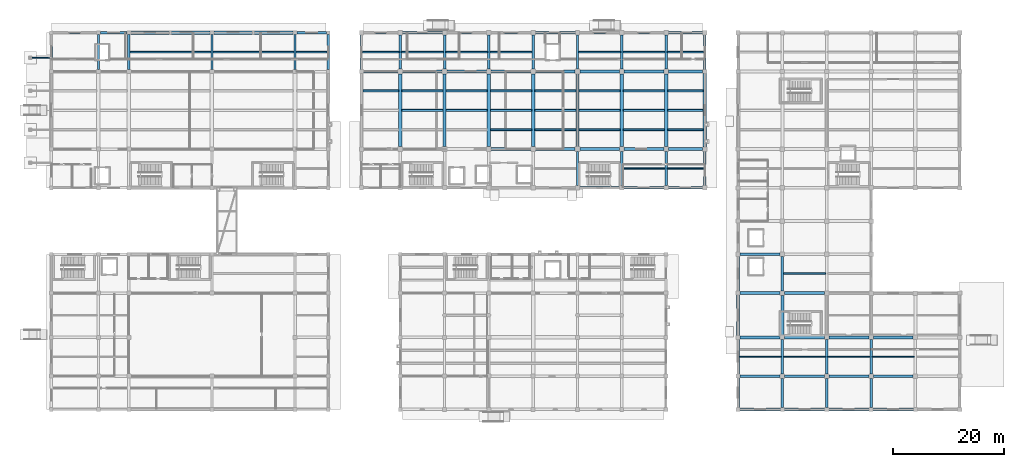
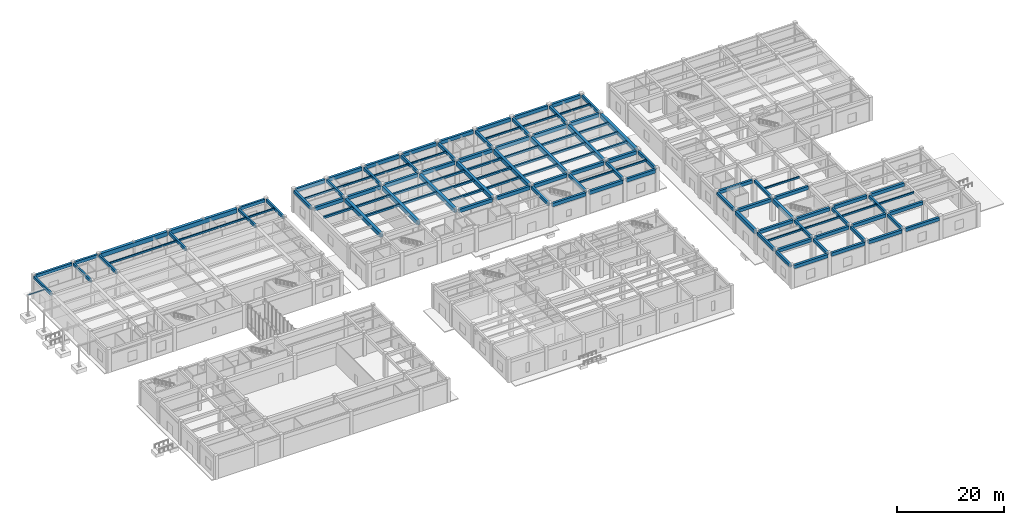
# One storey, part 10 of 40: 120 beams, 1 member.
"""IFC4 building model written with IfcOpenShell, lengths in metres."""

import ifcopenshell
import ifcopenshell.guid

model = None  # the IFC model being written
_history = None  # IfcOwnerHistory: only IFC2X3 demands one
_inside = {}  # id of a spatial element -> (the spatial element, [elements in it])
_under = {}  # id of a project, library or spatial element -> (it, [spatial elements below it])
_declared = {}  # id of a project -> (the project, [libraries it declares])
_typed = {}  # id of a type object -> (the type object, [elements of that type])
_made_of = {}  # id of a material, layer set ... -> (it, [elements and type objects made of it])


def new_model(schema):
    """Start an empty IFC model of exactly this schema.

    Asked for "IFC4X3", IfcOpenShell would pick the latest addendum, in which some entities
    have other attributes; the version numbers below select the first issue.
    IFC2X3 requires an IfcOwnerHistory on every rooted entity: one is made here for all.
    """
    global model, _history
    if schema == "IFC4X3":
        model = ifcopenshell.file(schema_version=(4, 3, 0, 0))
    else:
        model = ifcopenshell.file(schema=schema)
    _inside.clear()
    _under.clear()
    _declared.clear()
    _typed.clear()
    _made_of.clear()
    _history = None
    if model.schema == "IFC2X3":
        org = make("IfcOrganization", Name="unknown")
        user = make(
            "IfcPersonAndOrganization",
            ThePerson=make("IfcPerson", FamilyName="unknown"),
            TheOrganization=org,
        )
        app = make(
            "IfcApplication",
            ApplicationDeveloper=org,
            Version="unknown",
            ApplicationFullName="unknown",
            ApplicationIdentifier="unknown",
        )
        _history = make(
            "IfcOwnerHistory",
            OwningUser=user,
            OwningApplication=app,
            ChangeAction="ADDED",
            CreationDate=0,
        )
    return model


def make(cls, **values):
    """One entity of the class cls with the attributes given. An attribute that is None is left unset."""
    return model.create_entity(
        cls, **{name: value for name, value in values.items() if value is not None}
    )


def rooted(cls, **values):
    """An entity with a GlobalId (a new one), such as an element, a storey or a relation."""
    return make(cls, GlobalId=ifcopenshell.guid.new(), OwnerHistory=_history, **values)


def si_unit(unit_type, name, prefix=None):
    """IfcSIUnit, for example si_unit("LENGTHUNIT", "METRE", prefix="MILLI")."""
    return make("IfcSIUnit", UnitType=unit_type, Prefix=prefix, Name=name)


def assignment(units):
    """IfcUnitAssignment: the units of a project."""
    return None if units is None else make("IfcUnitAssignment", Units=units)


def point(xyz):
    """IfcCartesianPoint."""
    return None if xyz is None else make("IfcCartesianPoint", Coordinates=xyz)


def direction(xyz):
    """IfcDirection."""
    return None if xyz is None else make("IfcDirection", DirectionRatios=xyz)


def frame(location, z_axis=None, x_axis=None):
    """IfcAxis2Placement3D, a coordinate frame: its origin and axes. An axis left out is left unset."""
    return make(
        "IfcAxis2Placement3D",
        Location=point(location),
        Axis=direction(z_axis),
        RefDirection=direction(x_axis),
    )


def frame_2d(location, x_axis=None):
    """IfcAxis2Placement2D, a coordinate frame in the plane: its origin and x axis."""
    return make(
        "IfcAxis2Placement2D", Location=point(location), RefDirection=direction(x_axis)
    )


def origin():
    """The frame at (0, 0, 0) with its axes left unset."""
    return frame((0.0, 0.0, 0.0))


def origin_2d():
    """The frame at (0, 0) in the plane with its x axis left unset."""
    return frame_2d((0.0, 0.0))


def place(relative_to, where):
    """IfcLocalPlacement: puts the frame where relative to a parent placement (None: the world)."""
    return make(
        "IfcLocalPlacement", PlacementRelTo=relative_to, RelativePlacement=where
    )


def context(
    kind, dimensions, precision=None, world=None, true_north=None, identifier=None
):
    """IfcGeometricRepresentationContext, for example the 3D "Model" context."""
    return make(
        "IfcGeometricRepresentationContext",
        ContextIdentifier=identifier,
        ContextType=kind,
        CoordinateSpaceDimension=dimensions,
        Precision=precision,
        WorldCoordinateSystem=world,
        TrueNorth=true_north,
    )


def subcontext(parent, identifier, kind, view, scale=None):
    """IfcGeometricRepresentationSubContext, for example "Body" below "Model"."""
    return make(
        "IfcGeometricRepresentationSubContext",
        ContextIdentifier=identifier,
        ContextType=kind,
        ParentContext=parent,
        TargetScale=scale,
        TargetView=view,
    )


def project(units=None, contexts=None):
    """IfcProject with its units and contexts."""
    return rooted(
        "IfcProject",
        Name="project",
        RepresentationContexts=contexts,
        UnitsInContext=assignment(units),
    )


def spatial(cls, under=None, at=None, **own):
    """A site, building, storey or space (cls), placed at a placement, below another one or the project."""
    s = rooted(cls, ObjectPlacement=at, **own)
    if under is not None:
        _under.setdefault(under.id(), (under, []))[1].append(s)
    return s


def profile(cls, at=None, kind="AREA", **sizes):
    """A parametric profile (cls). Its sizes go by their IFC names, for example OverallWidth=200.0."""
    return make(cls, ProfileType=kind, Position=at, **sizes)


def rectangle(**sizes):
    """IfcRectangleProfileDef."""
    return profile("IfcRectangleProfileDef", **sizes)


def hollow_circle(**sizes):
    """IfcCircleHollowProfileDef."""
    return profile("IfcCircleHollowProfileDef", **sizes)


def extrude(swept, where, along, depth):
    """IfcExtrudedAreaSolid: the profile swept, set in the frame where, extruded along a direction by depth."""
    return make(
        "IfcExtrudedAreaSolid",
        SweptArea=swept,
        Position=where,
        ExtrudedDirection=direction(along),
        Depth=depth,
    )


def shape(context_of_items, identifier, shape_type, items):
    """IfcShapeRepresentation: the items that make up one representation, for example the "Body"."""
    return make(
        "IfcShapeRepresentation",
        ContextOfItems=context_of_items,
        RepresentationIdentifier=identifier,
        RepresentationType=shape_type,
        Items=items,
    )


def material(Name=None, Category=None):
    """IfcMaterial."""
    return make("IfcMaterial", Name=Name, Category=Category)


def material_profile(
    of_material, cross_section, Name=None, Category=None, Priority=None
):
    """IfcMaterialProfile: a cross section and its material."""
    return make(
        "IfcMaterialProfile",
        Name=Name,
        Material=of_material,
        Profile=cross_section,
        Priority=Priority,
        Category=Category,
    )


def profile_set(profiles, Name=None, composite=None):
    """IfcMaterialProfileSet."""
    return make(
        "IfcMaterialProfileSet",
        Name=Name,
        MaterialProfiles=profiles,
        CompositeProfile=composite,
    )


def made_of(thing, what):
    """Note that an element or type object is made of a material, layer set ...; save() writes the relation."""
    if what is not None:
        _made_of.setdefault(what.id(), (what, []))[1].append(thing)
    return thing


def type_object(cls, material=None, **own):
    """A type object (cls), such as IfcWallType, which elements share."""
    return made_of(rooted(cls, **own), material)


def element(
    cls,
    number,
    at=None,
    inside=None,
    cuts=None,
    type_object=None,
    material=None,
    context=None,
    identifier="Body",
    shape_type=None,
    held_by="IfcProductDefinitionShape",
    body=None,
    shapes=None,
    **own,
):
    """One element of the class cls, such as IfcWall. Its Tag is "e" and its number.

    at: its placement. inside: the storey or other place that contains it. cuts: it is an
    opening in that element (IfcRelVoidsElement). A single representation is given by context,
    identifier, shape_type and body (its items); several are given by shapes. held_by: the class
    of the entity that holds the representations. save() writes the other relations.
    """
    e = rooted(cls, Tag="e%d" % number, ObjectPlacement=at, **own)
    if body is not None:
        shapes = [shape(context, identifier, shape_type, body)]
    if shapes is not None:
        e.Representation = make(held_by, Representations=shapes)
    if inside is not None:
        _inside.setdefault(inside.id(), (inside, []))[1].append(e)
    if cuts is not None:
        rooted(
            "IfcRelVoidsElement", RelatingBuildingElement=cuts, RelatedOpeningElement=e
        )
    if type_object is not None:
        _typed.setdefault(type_object.id(), (type_object, []))[1].append(e)
    return made_of(e, material)


def aggregate(whole, parts):
    """IfcRelAggregates: a whole, such as a stair, and the parts it consists of."""
    return rooted("IfcRelAggregates", RelatingObject=whole, RelatedObjects=parts)


def save(model, path):
    """Write the relations noted so far, then the file.

    IfcRelAggregates (storeys below a building ...), IfcRelContainedInSpatialStructure (elements
    in a storey), IfcRelDefinesByType, IfcRelAssociatesMaterial and IfcRelDeclares: one each for
    every whole, place, type object, material and project.
    """
    for whole, parts in _under.values():
        aggregate(whole, parts)
    for where, things in _inside.values():
        rooted(
            "IfcRelContainedInSpatialStructure",
            RelatedElements=things,
            RelatingStructure=where,
        )
    for kind, things in _typed.values():
        rooted("IfcRelDefinesByType", RelatedObjects=things, RelatingType=kind)
    for what, things in _made_of.values():
        rooted("IfcRelAssociatesMaterial", RelatedObjects=things, RelatingMaterial=what)
    for by, libraries in _declared.values():
        rooted("IfcRelDeclares", RelatingContext=by, RelatedDefinitions=libraries)
    model.write(path)


model = new_model("IFC4")

# Units and contexts
model_context = context("Model", 3, precision=1e-05, world=origin(), true_north=direction((0.0, 1.0)))
body_context = subcontext(model_context, "Body", "Model", "MODEL_VIEW")
ifc_project = project(units=[si_unit("LENGTHUNIT", "METRE"), si_unit("AREAUNIT", "SQUARE_METRE"), si_unit("VOLUMEUNIT", "CUBIC_METRE"), si_unit("PLANEANGLEUNIT", "RADIAN"), si_unit("MASSUNIT", "GRAM", prefix="KILO")], contexts=[model_context])

# Site, building, storey
site_placement = place(None, origin())
site = spatial("IfcSite", under=ifc_project, at=site_placement, CompositionType="ELEMENT")
building_placement = place(site_placement, origin())
building = spatial("IfcBuilding", under=site, at=building_placement, Name="Naurynzar Civic Courthouse", CompositionType="ELEMENT")
storey_placement = place(building_placement, origin())
storey = spatial("IfcBuildingStorey", under=building, at=storey_placement, Name="L01", CompositionType="ELEMENT", Elevation=0.0)

# Beams
ifc_material_1 = material(Name="Concrete C40/50", Category="concrete")
ifc_material_profile_1 = material_profile(ifc_material_1, rectangle(XDim=0.25, YDim=0.39990234375, at=origin_2d()), Name="RCB 250x400")
ifc_profile_set_1 = profile_set([ifc_material_profile_1], Name="Concrete C40/50")
beam_type_1 = type_object("IfcBeamType", Name="BM-JST-250x400", PredefinedType="JOIST", material=ifc_profile_set_1)
for number, where, z_axis, x_axis, name in (
    (1, (20.199951171875, 68.5, 4.929931640625), (1.0, 0.0, 0.0), (0.0, 1.0, 0.0), "V1 secondary rib 112 L01"),
    (2, (35.199951171875, 68.5, 4.929931640625), (1.0, 0.0, 0.0), (0.0, 1.0, 0.0), "V1 secondary rib 113 L01"),
):
    element("IfcBeam", number, at=place(storey_placement, frame(where, z_axis=z_axis, x_axis=x_axis)), inside=storey, type_object=beam_type_1, Name=name, PredefinedType="JOIST", context=body_context, shape_type="SweptSolid", body=[
        extrude(rectangle(XDim=0.25, YDim=0.39990234375, at=origin_2d()), origin(), (0.0, 0.0, 1.0), 14.60009765625),
    ])
beam_1_placement = place(storey_placement, frame((50.199951171875, 68.5, 4.929931640625), z_axis=(1.0, 0.0, 0.0), x_axis=(0.0, 1.0, 0.0)))
element("IfcBeam", 3, at=beam_1_placement, inside=storey, type_object=beam_type_1, Name="V1 secondary rib 114 L01", PredefinedType="JOIST", context=body_context, shape_type="SweptSolid", body=[
    extrude(rectangle(XDim=0.25, YDim=0.39990234375, at=origin_2d()), origin(), (0.0, 0.0, 1.0), 5.60009765625),
])
beam_2_placement = place(storey_placement, frame((109.22509765625, 47.5, 4.89990234375), z_axis=(1.0, 0.0, 0.0), x_axis=(0.0, 1.0, 0.0)))
element("IfcBeam", 4, at=beam_2_placement, inside=storey, type_object=beam_type_1, Name="V2 secondary rib 434 L01", PredefinedType="JOIST", context=body_context, shape_type="SweptSolid", body=[
    extrude(rectangle(XDim=0.25, YDim=0.39990234375, at=origin_2d()), origin(), (0.0, 0.0, 1.0), 7.5498046875),
])
for number, where, z_axis, x_axis, name in (
    (5, (117.22509765625, 47.5, 4.89990234375), (1.0, 0.0, 0.0), (0.0, 1.0, 0.0), "V2 secondary rib 435 L01"),
    (6, (62.22509765625, 68.5, 4.89990234375), (1.0, 0.0, 0.0), (0.0, 1.0, 0.0), "V2 secondary rib 460 L01"),
):
    element("IfcBeam", number, at=place(storey_placement, frame(where, z_axis=z_axis, x_axis=x_axis)), inside=storey, type_object=beam_type_1, Name=name, PredefinedType="JOIST", context=body_context, shape_type="SweptSolid", body=[
        extrude(rectangle(XDim=0.25, YDim=0.39990234375, at=origin_2d()), origin(), (0.0, 0.0, 1.0), 6.5498046875),
    ])
for number, where, z_axis, x_axis, name in (
    (7, (69.22509765625, 68.5, 4.89990234375), (1.0, 0.0, 0.0), (0.0, 1.0, 0.0), "V2 secondary rib 461 L01"),
    (8, (77.22509765625, 68.5, 4.89990234375), (1.0, 0.0, 0.0), (0.0, 1.0, 0.0), "V2 secondary rib 462 L01"),
    (9, (85.22509765625, 68.5, 4.89990234375), (1.0, 0.0, 0.0), (0.0, 1.0, 0.0), "V2 secondary rib 463 L01"),
    (10, (101.22509765625, 68.5, 4.89990234375), (1.0, 0.0, 0.0), (0.0, 1.0, 0.0), "V2 secondary rib 464 L01"),
    (11, (109.22509765625, 68.5, 4.89990234375), (1.0, 0.0, 0.0), (0.0, 1.0, 0.0), "V2 secondary rib 465 L01"),
):
    element("IfcBeam", number, at=place(storey_placement, frame(where, z_axis=z_axis, x_axis=x_axis)), inside=storey, type_object=beam_type_1, Name=name, PredefinedType="JOIST", context=body_context, shape_type="SweptSolid", body=[
        extrude(rectangle(XDim=0.25, YDim=0.39990234375, at=origin_2d()), origin(), (0.0, 0.0, 1.0), 7.5498046875),
    ])
beam_3_placement = place(storey_placement, frame((117.22509765625, 68.5, 4.89990234375), z_axis=(1.0, 0.0, 0.0), x_axis=(0.0, 1.0, 0.0)))
element("IfcBeam", 12, at=beam_3_placement, inside=storey, type_object=beam_type_1, Name="V2 secondary rib 466 L01", PredefinedType="JOIST", context=body_context, shape_type="SweptSolid", body=[
    extrude(rectangle(XDim=0.25, YDim=0.39990234375, at=origin_2d()), origin(), (0.0, 0.0, 1.0), 6.5498046875),
])
for number, where, z_axis, x_axis, name in (
    (13, (130.22509765625, 13.5, 4.89990234375), (1.0, 0.0, 0.0), (0.0, 1.0, 0.0), "V5 secondary rib 2219 L01"),
    (14, (138.22509765625, 13.5, 4.89990234375), (1.0, 0.0, 0.0), (0.0, 1.0, 0.0), "V5 secondary rib 2220 L01"),
    (15, (146.22509765625, 13.5, 4.89990234375), (1.0, 0.0, 0.0), (0.0, 1.0, 0.0), "V5 secondary rib 2221 L01"),
    (16, (154.22509765625, 13.5, 4.89990234375), (1.0, 0.0, 0.0), (0.0, 1.0, 0.0), "V5 secondary rib 2222 L01"),
    (17, (138.22509765625, 28.5, 4.89990234375), (1.0, 0.0, 0.0), (0.0, 1.0, 0.0), "V5 secondary rib 2227 L01"),
):
    element("IfcBeam", number, at=place(storey_placement, frame(where, z_axis=z_axis, x_axis=x_axis)), inside=storey, type_object=beam_type_1, Name=name, PredefinedType="JOIST", context=body_context, shape_type="SweptSolid", body=[
        extrude(rectangle(XDim=0.25, YDim=0.39990234375, at=origin_2d()), origin(), (0.0, 0.0, 1.0), 7.5498046875),
    ])
ifc_material_2 = material(Name="Concrete C40/50", Category="concrete")
ifc_material_profile_2 = material_profile(ifc_material_2, rectangle(XDim=0.60009765625, YDim=0.949951171875, at=origin_2d()), Name="PTB 600x950")
ifc_profile_set_2 = profile_set([ifc_material_profile_2], Name="Concrete C40/50")
beam_type_2 = type_object("IfcBeamType", Name="BM-PT-600x950", PredefinedType="T_BEAM", material=ifc_profile_set_2)
for number, where, z_axis, x_axis, name in (
    (18, (20.35009765625, 72.0, 4.655029296875), (1.0, 0.0, 0.0), (0.0, 1.0, 0.0), "V1 beam X-75 L01"),
    (19, (35.35009765625, 72.0, 4.655029296875), (1.0, 0.0, 0.0), (0.0, 1.0, 0.0), "V1 beam X-76 L01"),
):
    element("IfcBeam", number, at=place(storey_placement, frame(where, z_axis=z_axis, x_axis=x_axis)), inside=storey, type_object=beam_type_2, Name=name, PredefinedType="T_BEAM", context=body_context, shape_type="SweptSolid", body=[
        extrude(rectangle(XDim=0.60009765625, YDim=0.949951171875, at=origin_2d()), origin(), (0.0, 0.0, 1.0), 14.2998046875),
    ])
for number, where, z_axis, x_axis, name in (
    (20, (69.0, 51.425048828125, 4.625), (0.0, 1.0, 0.0), (-1.0, 0.0, 0.0), "V2 girder Y-409 L01"),
    (21, (77.0, 51.425048828125, 4.625), (0.0, 1.0, 0.0), (-1.0, 0.0, 0.0), "V2 girder Y-412 L01"),
    (22, (85.0, 51.425048828125, 4.625), (0.0, 1.0, 0.0), (-1.0, 0.0, 0.0), "V2 girder Y-415 L01"),
    (23, (93.0, 51.425048828125, 4.625), (0.0, 1.0, 0.0), (-1.0, 0.0, 0.0), "V2 girder Y-418 L01"),
    (24, (101.0, 51.425048828125, 4.625), (0.0, 1.0, 0.0), (-1.0, 0.0, 0.0), "V2 girder Y-421 L01"),
    (25, (109.0, 51.425048828125, 4.625), (0.0, 1.0, 0.0), (-1.0, 0.0, 0.0), "V2 girder Y-424 L01"),
    (26, (117.0, 51.425048828125, 4.625), (0.0, 1.0, 0.0), (-1.0, 0.0, 0.0), "V2 girder Y-427 L01"),
):
    element("IfcBeam", number, at=place(storey_placement, frame(where, z_axis=z_axis, x_axis=x_axis)), inside=storey, type_object=beam_type_2, Name=name, PredefinedType="T_BEAM", context=body_context, shape_type="SweptSolid", body=[
        extrude(rectangle(XDim=0.60009765625, YDim=0.949951171875, at=origin_2d()), origin(), (0.0, 0.0, 1.0), 13.14990234375),
    ])
beam_4_placement = place(storey_placement, frame((124.0, 51.39990234375, 4.625), z_axis=(0.0, 1.0, 0.0), x_axis=(-1.0, 0.0, 0.0)))
element("IfcBeam", 27, at=beam_4_placement, inside=storey, type_object=beam_type_2, Name="V2 girder Y-430 L01", PredefinedType="T_BEAM", context=body_context, shape_type="SweptSolid", body=[
    extrude(rectangle(XDim=0.60009765625, YDim=0.949951171875, at=origin_2d()), origin(), (0.0, 0.0, 1.0), 13.2001953125),
])
ifc_material_3 = material(Name="Concrete C40/50", Category="concrete")
ifc_material_profile_3 = material_profile(ifc_material_3, rectangle(XDim=0.35009765625, YDim=0.449951171875, at=origin_2d()), Name="RCB 350x450")
ifc_profile_set_3 = profile_set([ifc_material_profile_3], Name="Concrete C40/50")
beam_type_3 = type_object("IfcBeamType", Name="BM-RC-350x450", PredefinedType="BEAM", material=ifc_profile_set_3)
beam_5_placement = place(storey_placement, frame((62.300048828125, 61.5, 4.875), z_axis=(1.0, 0.0, 0.0), x_axis=(0.0, 1.0, 0.0)))
element("IfcBeam", 28, at=beam_5_placement, inside=storey, type_object=beam_type_3, Name="V2 secondary rib 438 L01", PredefinedType="BEAM", context=body_context, shape_type="SweptSolid", body=[
    extrude(rectangle(XDim=0.35009765625, YDim=0.449951171875, at=origin_2d()), origin(), (0.0, 0.0, 1.0), 6.39990234375),
])
for number, where, z_axis, x_axis, name in (
    (29, (69.300048828125, 58.0, 4.875), (1.0, 0.0, 0.0), (0.0, 1.0, 0.0), "V2 secondary rib 440 L01"),
    (30, (69.300048828125, 61.5, 4.875), (1.0, 0.0, 0.0), (0.0, 1.0, 0.0), "V2 secondary rib 441 L01"),
    (31, (77.300048828125, 58.0, 4.875), (1.0, 0.0, 0.0), (0.0, 1.0, 0.0), "V2 secondary rib 443 L01"),
    (32, (77.300048828125, 61.5, 4.875), (1.0, 0.0, 0.0), (0.0, 1.0, 0.0), "V2 secondary rib 444 L01"),
    (33, (85.300048828125, 54.5, 4.875), (1.0, 0.0, 0.0), (0.0, 1.0, 0.0), "V2 secondary rib 445 L01"),
    (34, (85.300048828125, 58.0, 4.875), (1.0, 0.0, 0.0), (0.0, 1.0, 0.0), "V2 secondary rib 446 L01"),
    (35, (85.300048828125, 61.5, 4.875), (1.0, 0.0, 0.0), (0.0, 1.0, 0.0), "V2 secondary rib 447 L01"),
    (36, (93.300048828125, 54.5, 4.875), (1.0, 0.0, 0.0), (0.0, 1.0, 0.0), "V2 secondary rib 448 L01"),
    (37, (93.300048828125, 58.0, 4.875), (1.0, 0.0, 0.0), (0.0, 1.0, 0.0), "V2 secondary rib 449 L01"),
    (38, (93.300048828125, 61.5, 4.875), (1.0, 0.0, 0.0), (0.0, 1.0, 0.0), "V2 secondary rib 450 L01"),
    (39, (101.300048828125, 54.5, 4.875), (1.0, 0.0, 0.0), (0.0, 1.0, 0.0), "V2 secondary rib 451 L01"),
    (40, (101.300048828125, 58.0, 4.875), (1.0, 0.0, 0.0), (0.0, 1.0, 0.0), "V2 secondary rib 452 L01"),
    (41, (101.300048828125, 61.5, 4.875), (1.0, 0.0, 0.0), (0.0, 1.0, 0.0), "V2 secondary rib 453 L01"),
    (42, (109.300048828125, 54.5, 4.875), (1.0, 0.0, 0.0), (0.0, 1.0, 0.0), "V2 secondary rib 454 L01"),
    (43, (109.300048828125, 58.0, 4.875), (1.0, 0.0, 0.0), (0.0, 1.0, 0.0), "V2 secondary rib 455 L01"),
    (44, (109.300048828125, 61.5, 4.875), (1.0, 0.0, 0.0), (0.0, 1.0, 0.0), "V2 secondary rib 456 L01"),
):
    element("IfcBeam", number, at=place(storey_placement, frame(where, z_axis=z_axis, x_axis=x_axis)), inside=storey, type_object=beam_type_3, Name=name, PredefinedType="BEAM", context=body_context, shape_type="SweptSolid", body=[
        extrude(rectangle(XDim=0.35009765625, YDim=0.449951171875, at=origin_2d()), origin(), (0.0, 0.0, 1.0), 7.39990234375),
    ])
for number, where, z_axis, x_axis, name in (
    (45, (117.300048828125, 54.5, 4.875), (1.0, 0.0, 0.0), (0.0, 1.0, 0.0), "V2 secondary rib 457 L01"),
    (46, (117.300048828125, 58.0, 4.875), (1.0, 0.0, 0.0), (0.0, 1.0, 0.0), "V2 secondary rib 458 L01"),
    (47, (117.300048828125, 61.5, 4.875), (1.0, 0.0, 0.0), (0.0, 1.0, 0.0), "V2 secondary rib 459 L01"),
):
    element("IfcBeam", number, at=place(storey_placement, frame(where, z_axis=z_axis, x_axis=x_axis)), inside=storey, type_object=beam_type_3, Name=name, PredefinedType="BEAM", context=body_context, shape_type="SweptSolid", body=[
        extrude(rectangle(XDim=0.35009765625, YDim=0.449951171875, at=origin_2d()), origin(), (0.0, 0.0, 1.0), 6.39990234375),
    ])
ifc_material_4 = material(Name="Concrete C40/50", Category="concrete")
ifc_material_profile_4 = material_profile(ifc_material_4, rectangle(XDim=0.39990234375, YDim=0.64990234375, at=origin_2d()), Name="RCB 400x650")
ifc_profile_set_4 = profile_set([ifc_material_profile_4], Name="Concrete C40/50")
beam_type_4 = type_object("IfcBeamType", Name="BM-RC-400x650", PredefinedType="BEAM", material=ifc_profile_set_4)
for number, where, z_axis, x_axis, name in (
    (48, (6.0, 65.35009765625, 4.804931640625), (0.0, 1.0, 0.0), (-1.0, 0.0, 0.0), "V1 girder Y-80 L01"),
    (49, (14.5, 65.35009765625, 4.804931640625), (0.0, 1.0, 0.0), (-1.0, 0.0, 0.0), "V1 girder Y-83 L01"),
    (50, (20.0, 65.35009765625, 4.804931640625), (0.0, 1.0, 0.0), (-1.0, 0.0, 0.0), "V1 girder Y-86 L01"),
    (51, (35.0, 65.35009765625, 4.804931640625), (0.0, 1.0, 0.0), (-1.0, 0.0, 0.0), "V1 girder Y-89 L01"),
    (52, (50.0, 65.35009765625, 4.804931640625), (0.0, 1.0, 0.0), (-1.0, 0.0, 0.0), "V1 girder Y-92 L01"),
    (53, (56.0, 65.35009765625, 4.804931640625), (0.0, 1.0, 0.0), (-1.0, 0.0, 0.0), "V1 girder Y-95 L01"),
):
    element("IfcBeam", number, at=place(storey_placement, frame(where, z_axis=z_axis, x_axis=x_axis)), inside=storey, type_object=beam_type_4, Name=name, PredefinedType="BEAM", context=body_context, shape_type="SweptSolid", body=[
        extrude(rectangle(XDim=0.39990234375, YDim=0.64990234375, at=origin_2d()), origin(), (0.0, 0.0, 1.0), 6.2998046875),
    ])
ifc_material_5 = material(Name="Concrete C40/50", Category="concrete")
ifc_material_profile_5 = material_profile(ifc_material_5, rectangle(XDim=0.449951171875, YDim=0.64990234375, at=origin_2d()), Name="RCB 450x650")
ifc_profile_set_5 = profile_set([ifc_material_profile_5], Name="Concrete C40/50")
beam_type_5 = type_object("IfcBeamType", Name="BM-RC-450x650", PredefinedType="BEAM", material=ifc_profile_set_5)
beam_6_placement = place(storey_placement, frame((130.0, 4.375, 4.77490234375), z_axis=(0.0, 1.0, 0.0), x_axis=(-1.0, 0.0, 0.0)))
element("IfcBeam", 54, at=beam_6_placement, inside=storey, type_object=beam_type_5, Name="V5 girder Y-2171 L01", PredefinedType="BEAM", context=body_context, shape_type="SweptSolid", body=[
    extrude(rectangle(XDim=0.449951171875, YDim=0.64990234375, at=origin_2d()), origin(), (0.0, 0.0, 1.0), 5.25),
])
for number, where, z_axis, x_axis, name in (
    (55, (130.0, 10.375, 4.77490234375), (0.0, 1.0, 0.0), (-1.0, 0.0, 0.0), "V5 girder Y-2172 L01"),
    (56, (130.0, 25.375, 4.77490234375), (0.0, 1.0, 0.0), (-1.0, 0.0, 0.0), "V5 girder Y-2174 L01"),
):
    element("IfcBeam", number, at=place(storey_placement, frame(where, z_axis=z_axis, x_axis=x_axis)), inside=storey, type_object=beam_type_5, Name=name, PredefinedType="BEAM", context=body_context, shape_type="SweptSolid", body=[
        extrude(rectangle(XDim=0.449951171875, YDim=0.64990234375, at=origin_2d()), origin(), (0.0, 0.0, 1.0), 6.25),
    ])
beam_7_placement = place(storey_placement, frame((138.0, 4.375, 4.77490234375), z_axis=(0.0, 1.0, 0.0), x_axis=(-1.0, 0.0, 0.0)))
element("IfcBeam", 57, at=beam_7_placement, inside=storey, type_object=beam_type_5, Name="V5 girder Y-2180 L01", PredefinedType="BEAM", context=body_context, shape_type="SweptSolid", body=[
    extrude(rectangle(XDim=0.449951171875, YDim=0.64990234375, at=origin_2d()), origin(), (0.0, 0.0, 1.0), 5.22509765625),
])
for number, where, z_axis, x_axis, name in (
    (58, (138.0, 10.39990234375, 4.77490234375), (0.0, 1.0, 0.0), (-1.0, 0.0, 0.0), "V5 girder Y-2181 L01"),
    (59, (138.0, 25.39990234375, 4.77490234375), (0.0, 1.0, 0.0), (-1.0, 0.0, 0.0), "V5 girder Y-2183 L01"),
):
    element("IfcBeam", number, at=place(storey_placement, frame(where, z_axis=z_axis, x_axis=x_axis)), inside=storey, type_object=beam_type_5, Name=name, PredefinedType="BEAM", context=body_context, shape_type="SweptSolid", body=[
        extrude(rectangle(XDim=0.449951171875, YDim=0.64990234375, at=origin_2d()), origin(), (0.0, 0.0, 1.0), 6.2001953125),
    ])
beam_8_placement = place(storey_placement, frame((146.0, 4.375, 4.77490234375), z_axis=(0.0, 1.0, 0.0), x_axis=(-1.0, 0.0, 0.0)))
element("IfcBeam", 60, at=beam_8_placement, inside=storey, type_object=beam_type_5, Name="V5 girder Y-2189 L01", PredefinedType="BEAM", context=body_context, shape_type="SweptSolid", body=[
    extrude(rectangle(XDim=0.449951171875, YDim=0.64990234375, at=origin_2d()), origin(), (0.0, 0.0, 1.0), 5.22509765625),
])
beam_9_placement = place(storey_placement, frame((146.0, 10.39990234375, 4.77490234375), z_axis=(0.0, 1.0, 0.0), x_axis=(-1.0, 0.0, 0.0)))
element("IfcBeam", 61, at=beam_9_placement, inside=storey, type_object=beam_type_5, Name="V5 girder Y-2190 L01", PredefinedType="BEAM", context=body_context, shape_type="SweptSolid", body=[
    extrude(rectangle(XDim=0.449951171875, YDim=0.64990234375, at=origin_2d()), origin(), (0.0, 0.0, 1.0), 6.2001953125),
])
beam_10_placement = place(storey_placement, frame((154.0, 4.375, 4.77490234375), z_axis=(0.0, 1.0, 0.0), x_axis=(-1.0, 0.0, 0.0)))
element("IfcBeam", 62, at=beam_10_placement, inside=storey, type_object=beam_type_5, Name="V5 girder Y-2198 L01", PredefinedType="BEAM", context=body_context, shape_type="SweptSolid", body=[
    extrude(rectangle(XDim=0.449951171875, YDim=0.64990234375, at=origin_2d()), origin(), (0.0, 0.0, 1.0), 5.22509765625),
])
beam_11_placement = place(storey_placement, frame((154.0, 10.39990234375, 4.77490234375), z_axis=(0.0, 1.0, 0.0), x_axis=(-1.0, 0.0, 0.0)))
element("IfcBeam", 63, at=beam_11_placement, inside=storey, type_object=beam_type_5, Name="V5 girder Y-2199 L01", PredefinedType="BEAM", context=body_context, shape_type="SweptSolid", body=[
    extrude(rectangle(XDim=0.449951171875, YDim=0.64990234375, at=origin_2d()), origin(), (0.0, 0.0, 1.0), 6.2001953125),
])
ifc_material_6 = material(Name="Concrete C40/50", Category="concrete")
ifc_material_profile_6 = material_profile(ifc_material_6, rectangle(XDim=0.449951171875, YDim=0.699951171875, at=origin_2d()), Name="RCB 450x700")
ifc_profile_set_6 = profile_set([ifc_material_profile_6], Name="Concrete C40/50")
beam_type_6 = type_object("IfcBeamType", Name="BM-RC-450x700", PredefinedType="BEAM", material=ifc_profile_set_6)
beam_12_placement = place(storey_placement, frame((6.35009765625, 72.0, 4.780029296875), z_axis=(1.0, 0.0, 0.0), x_axis=(0.0, 1.0, 0.0)))
element("IfcBeam", 64, at=beam_12_placement, inside=storey, type_object=beam_type_6, Name="V1 beam X-73 L01", PredefinedType="BEAM", context=body_context, shape_type="SweptSolid", body=[
    extrude(rectangle(XDim=0.449951171875, YDim=0.699951171875, at=origin_2d()), origin(), (0.0, 0.0, 1.0), 7.7998046875),
])
beam_13_placement = place(storey_placement, frame((14.85009765625, 72.0, 4.780029296875), z_axis=(1.0, 0.0, 0.0), x_axis=(0.0, 1.0, 0.0)))
element("IfcBeam", 65, at=beam_13_placement, inside=storey, type_object=beam_type_6, Name="V1 beam X-74 L01", PredefinedType="BEAM", context=body_context, shape_type="SweptSolid", body=[
    extrude(rectangle(XDim=0.449951171875, YDim=0.699951171875, at=origin_2d()), origin(), (0.0, 0.0, 1.0), 4.7998046875),
])
beam_14_placement = place(storey_placement, frame((50.35009765625, 72.0, 4.780029296875), z_axis=(1.0, 0.0, 0.0), x_axis=(0.0, 1.0, 0.0)))
element("IfcBeam", 66, at=beam_14_placement, inside=storey, type_object=beam_type_6, Name="V1 beam X-77 L01", PredefinedType="BEAM", context=body_context, shape_type="SweptSolid", body=[
    extrude(rectangle(XDim=0.449951171875, YDim=0.699951171875, at=origin_2d()), origin(), (0.0, 0.0, 1.0), 5.2998046875),
])
beam_15_placement = place(storey_placement, frame((62.0, 65.39990234375, 4.75), z_axis=(0.0, 1.0, 0.0), x_axis=(-1.0, 0.0, 0.0)))
element("IfcBeam", 67, at=beam_15_placement, inside=storey, type_object=beam_type_6, Name="V2 girder Y-407 L01", PredefinedType="BEAM", context=body_context, shape_type="SweptSolid", body=[
    extrude(rectangle(XDim=0.449951171875, YDim=0.699951171875, at=origin_2d()), origin(), (0.0, 0.0, 1.0), 6.2001953125),
])
for number, where, z_axis, x_axis, name in (
    (68, (69.0, 65.425048828125, 4.75), (0.0, 1.0, 0.0), (-1.0, 0.0, 0.0), "V2 girder Y-410 L01"),
    (69, (77.0, 65.425048828125, 4.75), (0.0, 1.0, 0.0), (-1.0, 0.0, 0.0), "V2 girder Y-413 L01"),
    (70, (85.0, 65.425048828125, 4.75), (0.0, 1.0, 0.0), (-1.0, 0.0, 0.0), "V2 girder Y-416 L01"),
    (71, (93.0, 65.425048828125, 4.75), (0.0, 1.0, 0.0), (-1.0, 0.0, 0.0), "V2 girder Y-419 L01"),
    (72, (101.0, 44.39990234375, 4.75), (0.0, 1.0, 0.0), (-1.0, 0.0, 0.0), "V2 girder Y-420 L01"),
    (73, (101.0, 65.425048828125, 4.75), (0.0, 1.0, 0.0), (-1.0, 0.0, 0.0), "V2 girder Y-422 L01"),
    (74, (109.0, 44.39990234375, 4.75), (0.0, 1.0, 0.0), (-1.0, 0.0, 0.0), "V2 girder Y-423 L01"),
    (75, (109.0, 65.425048828125, 4.75), (0.0, 1.0, 0.0), (-1.0, 0.0, 0.0), "V2 girder Y-425 L01"),
    (76, (117.0, 44.39990234375, 4.75), (0.0, 1.0, 0.0), (-1.0, 0.0, 0.0), "V2 girder Y-426 L01"),
    (77, (117.0, 65.425048828125, 4.75), (0.0, 1.0, 0.0), (-1.0, 0.0, 0.0), "V2 girder Y-428 L01"),
):
    element("IfcBeam", number, at=place(storey_placement, frame(where, z_axis=z_axis, x_axis=x_axis)), inside=storey, type_object=beam_type_6, Name=name, PredefinedType="BEAM", context=body_context, shape_type="SweptSolid", body=[
        extrude(rectangle(XDim=0.449951171875, YDim=0.699951171875, at=origin_2d()), origin(), (0.0, 0.0, 1.0), 6.175048828125),
    ])
for number, where, z_axis, x_axis, name in (
    (78, (124.0, 44.39990234375, 4.75), (0.0, 1.0, 0.0), (-1.0, 0.0, 0.0), "V2 girder Y-429 L01"),
    (79, (124.0, 65.39990234375, 4.75), (0.0, 1.0, 0.0), (-1.0, 0.0, 0.0), "V2 girder Y-431 L01"),
):
    element("IfcBeam", number, at=place(storey_placement, frame(where, z_axis=z_axis, x_axis=x_axis)), inside=storey, type_object=beam_type_6, Name=name, PredefinedType="BEAM", context=body_context, shape_type="SweptSolid", body=[
        extrude(rectangle(XDim=0.449951171875, YDim=0.699951171875, at=origin_2d()), origin(), (0.0, 0.0, 1.0), 6.2001953125),
    ])
ifc_material_7 = material(Name="Concrete C40/50", Category="concrete")
ifc_material_profile_7 = material_profile(ifc_material_7, rectangle(XDim=0.5, YDim=0.75, at=origin_2d()), Name="RCB 500x750")
ifc_profile_set_7 = profile_set([ifc_material_profile_7], Name="Concrete C40/50")
beam_type_7 = type_object("IfcBeamType", Name="BM-RC-500x750", PredefinedType="BEAM", material=ifc_profile_set_7)
for number, where, z_axis, x_axis, name in (
    (80, (130.375, 4.0, 4.72509765625), (1.0, 0.0, 0.0), (0.0, 1.0, 0.0), "V5 beam X-2125 L01"),
    (81, (138.375, 4.0, 4.72509765625), (1.0, 0.0, 0.0), (0.0, 1.0, 0.0), "V5 beam X-2126 L01"),
    (82, (146.375, 4.0, 4.72509765625), (1.0, 0.0, 0.0), (0.0, 1.0, 0.0), "V5 beam X-2127 L01"),
    (83, (154.375, 4.0, 4.72509765625), (1.0, 0.0, 0.0), (0.0, 1.0, 0.0), "V5 beam X-2128 L01"),
):
    element("IfcBeam", number, at=place(storey_placement, frame(where, z_axis=z_axis, x_axis=x_axis)), inside=storey, type_object=beam_type_7, Name=name, PredefinedType="BEAM", context=body_context, shape_type="SweptSolid", body=[
        extrude(rectangle(XDim=0.5, YDim=0.75, at=origin_2d()), origin(), (0.0, 0.0, 1.0), 7.25),
    ])
beam_16_placement = place(storey_placement, frame((130.375, 10.0, 4.72509765625), z_axis=(1.0, 0.0, 0.0), x_axis=(0.0, 1.0, 0.0)))
element("IfcBeam", 84, at=beam_16_placement, inside=storey, type_object=beam_type_7, Name="V5 beam X-2130 L01", PredefinedType="BEAM", context=body_context, shape_type="SweptSolid", body=[
    extrude(rectangle(XDim=0.5, YDim=0.75, at=origin_2d()), origin(), (0.0, 0.0, 1.0), 7.22509765625),
])
for number, where, z_axis, x_axis, name in (
    (85, (138.39990234375, 10.0, 4.72509765625), (1.0, 0.0, 0.0), (0.0, 1.0, 0.0), "V5 beam X-2131 L01"),
    (86, (146.39990234375, 10.0, 4.72509765625), (1.0, 0.0, 0.0), (0.0, 1.0, 0.0), "V5 beam X-2132 L01"),
    (87, (154.39990234375, 10.0, 4.72509765625), (1.0, 0.0, 0.0), (0.0, 1.0, 0.0), "V5 beam X-2133 L01"),
):
    element("IfcBeam", number, at=place(storey_placement, frame(where, z_axis=z_axis, x_axis=x_axis)), inside=storey, type_object=beam_type_7, Name=name, PredefinedType="BEAM", context=body_context, shape_type="SweptSolid", body=[
        extrude(rectangle(XDim=0.5, YDim=0.75, at=origin_2d()), origin(), (0.0, 0.0, 1.0), 7.2001953125),
    ])
beam_17_placement = place(storey_placement, frame((130.375, 17.0, 4.72509765625), z_axis=(1.0, 0.0, 0.0), x_axis=(0.0, 1.0, 0.0)))
element("IfcBeam", 88, at=beam_17_placement, inside=storey, type_object=beam_type_7, Name="V5 beam X-2135 L01", PredefinedType="BEAM", context=body_context, shape_type="SweptSolid", body=[
    extrude(rectangle(XDim=0.5, YDim=0.75, at=origin_2d()), origin(), (0.0, 0.0, 1.0), 7.22509765625),
])
for number, where, z_axis, x_axis, name in (
    (89, (138.39990234375, 17.0, 4.72509765625), (1.0, 0.0, 0.0), (0.0, 1.0, 0.0), "V5 beam X-2136 L01"),
    (90, (146.39990234375, 17.0, 4.72509765625), (1.0, 0.0, 0.0), (0.0, 1.0, 0.0), "V5 beam X-2137 L01"),
    (91, (154.39990234375, 17.0, 4.72509765625), (1.0, 0.0, 0.0), (0.0, 1.0, 0.0), "V5 beam X-2138 L01"),
):
    element("IfcBeam", number, at=place(storey_placement, frame(where, z_axis=z_axis, x_axis=x_axis)), inside=storey, type_object=beam_type_7, Name=name, PredefinedType="BEAM", context=body_context, shape_type="SweptSolid", body=[
        extrude(rectangle(XDim=0.5, YDim=0.75, at=origin_2d()), origin(), (0.0, 0.0, 1.0), 7.2001953125),
    ])
beam_18_placement = place(storey_placement, frame((130.375, 25.0, 4.72509765625), z_axis=(1.0, 0.0, 0.0), x_axis=(0.0, 1.0, 0.0)))
element("IfcBeam", 92, at=beam_18_placement, inside=storey, type_object=beam_type_7, Name="V5 beam X-2140 L01", PredefinedType="BEAM", context=body_context, shape_type="SweptSolid", body=[
    extrude(rectangle(XDim=0.5, YDim=0.75, at=origin_2d()), origin(), (0.0, 0.0, 1.0), 7.22509765625),
])
beam_19_placement = place(storey_placement, frame((138.39990234375, 25.0, 4.72509765625), z_axis=(1.0, 0.0, 0.0), x_axis=(0.0, 1.0, 0.0)))
element("IfcBeam", 93, at=beam_19_placement, inside=storey, type_object=beam_type_7, Name="V5 beam X-2141 L01", PredefinedType="BEAM", context=body_context, shape_type="SweptSolid", body=[
    extrude(rectangle(XDim=0.5, YDim=0.75, at=origin_2d()), origin(), (0.0, 0.0, 1.0), 7.2001953125),
])
beam_20_placement = place(storey_placement, frame((130.375, 32.0, 4.72509765625), z_axis=(1.0, 0.0, 0.0), x_axis=(0.0, 1.0, 0.0)))
element("IfcBeam", 94, at=beam_20_placement, inside=storey, type_object=beam_type_7, Name="V5 beam X-2145 L01", PredefinedType="BEAM", context=body_context, shape_type="SweptSolid", body=[
    extrude(rectangle(XDim=0.5, YDim=0.75, at=origin_2d()), origin(), (0.0, 0.0, 1.0), 7.22509765625),
])
ifc_material_8 = material(Name="Concrete C40/50", Category="concrete")
ifc_material_profile_8 = material_profile(ifc_material_8, rectangle(XDim=0.5, YDim=0.800048828125, at=origin_2d()), Name="RCB 500x800")
ifc_profile_set_8 = profile_set([ifc_material_profile_8], Name="Concrete C40/50")
beam_type_8 = type_object("IfcBeamType", Name="BM-RC-500x800", PredefinedType="BEAM", material=ifc_profile_set_8)
for number, where, z_axis, x_axis, name in (
    (95, (101.39990234375, 44.0, 4.699951171875), (1.0, 0.0, 0.0), (0.0, 1.0, 0.0), "V2 beam X-378 L01"),
    (96, (109.39990234375, 44.0, 4.699951171875), (1.0, 0.0, 0.0), (0.0, 1.0, 0.0), "V2 beam X-379 L01"),
):
    element("IfcBeam", number, at=place(storey_placement, frame(where, z_axis=z_axis, x_axis=x_axis)), inside=storey, type_object=beam_type_8, Name=name, PredefinedType="BEAM", context=body_context, shape_type="SweptSolid", body=[
        extrude(rectangle(XDim=0.5, YDim=0.800048828125, at=origin_2d()), origin(), (0.0, 0.0, 1.0), 7.2001953125),
    ])
beam_21_placement = place(storey_placement, frame((117.39990234375, 44.0, 4.699951171875), z_axis=(1.0, 0.0, 0.0), x_axis=(0.0, 1.0, 0.0)))
element("IfcBeam", 97, at=beam_21_placement, inside=storey, type_object=beam_type_8, Name="V2 beam X-380 L01", PredefinedType="BEAM", context=body_context, shape_type="SweptSolid", body=[
    extrude(rectangle(XDim=0.5, YDim=0.800048828125, at=origin_2d()), origin(), (0.0, 0.0, 1.0), 6.2001953125),
])
for number, where, z_axis, x_axis, name in (
    (98, (85.425048828125, 51.0, 4.699951171875), (1.0, 0.0, 0.0), (0.0, 1.0, 0.0), "V2 beam X-384 L01"),
    (99, (93.425048828125, 51.0, 4.699951171875), (1.0, 0.0, 0.0), (0.0, 1.0, 0.0), "V2 beam X-385 L01"),
    (100, (101.425048828125, 51.0, 4.699951171875), (1.0, 0.0, 0.0), (0.0, 1.0, 0.0), "V2 beam X-386 L01"),
    (101, (109.425048828125, 51.0, 4.699951171875), (1.0, 0.0, 0.0), (0.0, 1.0, 0.0), "V2 beam X-387 L01"),
):
    element("IfcBeam", number, at=place(storey_placement, frame(where, z_axis=z_axis, x_axis=x_axis)), inside=storey, type_object=beam_type_8, Name=name, PredefinedType="BEAM", context=body_context, shape_type="SweptSolid", body=[
        extrude(rectangle(XDim=0.5, YDim=0.800048828125, at=origin_2d()), origin(), (0.0, 0.0, 1.0), 7.14990234375),
    ])
for number, where, z_axis, x_axis, name in (
    (102, (117.425048828125, 51.0, 4.699951171875), (1.0, 0.0, 0.0), (0.0, 1.0, 0.0), "V2 beam X-388 L01"),
    (103, (62.39990234375, 65.0, 4.699951171875), (1.0, 0.0, 0.0), (0.0, 1.0, 0.0), "V2 beam X-389 L01"),
):
    element("IfcBeam", number, at=place(storey_placement, frame(where, z_axis=z_axis, x_axis=x_axis)), inside=storey, type_object=beam_type_8, Name=name, PredefinedType="BEAM", context=body_context, shape_type="SweptSolid", body=[
        extrude(rectangle(XDim=0.5, YDim=0.800048828125, at=origin_2d()), origin(), (0.0, 0.0, 1.0), 6.175048828125),
    ])
for number, where, z_axis, x_axis, name in (
    (104, (69.425048828125, 65.0, 4.699951171875), (1.0, 0.0, 0.0), (0.0, 1.0, 0.0), "V2 beam X-390 L01"),
    (105, (77.425048828125, 65.0, 4.699951171875), (1.0, 0.0, 0.0), (0.0, 1.0, 0.0), "V2 beam X-391 L01"),
    (106, (85.425048828125, 65.0, 4.699951171875), (1.0, 0.0, 0.0), (0.0, 1.0, 0.0), "V2 beam X-392 L01"),
    (107, (93.425048828125, 65.0, 4.699951171875), (1.0, 0.0, 0.0), (0.0, 1.0, 0.0), "V2 beam X-393 L01"),
    (108, (101.425048828125, 65.0, 4.699951171875), (1.0, 0.0, 0.0), (0.0, 1.0, 0.0), "V2 beam X-394 L01"),
    (109, (109.425048828125, 65.0, 4.699951171875), (1.0, 0.0, 0.0), (0.0, 1.0, 0.0), "V2 beam X-395 L01"),
):
    element("IfcBeam", number, at=place(storey_placement, frame(where, z_axis=z_axis, x_axis=x_axis)), inside=storey, type_object=beam_type_8, Name=name, PredefinedType="BEAM", context=body_context, shape_type="SweptSolid", body=[
        extrude(rectangle(XDim=0.5, YDim=0.800048828125, at=origin_2d()), origin(), (0.0, 0.0, 1.0), 7.14990234375),
    ])
beam_22_placement = place(storey_placement, frame((117.425048828125, 65.0, 4.699951171875), z_axis=(1.0, 0.0, 0.0), x_axis=(0.0, 1.0, 0.0)))
element("IfcBeam", 110, at=beam_22_placement, inside=storey, type_object=beam_type_8, Name="V2 beam X-396 L01", PredefinedType="BEAM", context=body_context, shape_type="SweptSolid", body=[
    extrude(rectangle(XDim=0.5, YDim=0.800048828125, at=origin_2d()), origin(), (0.0, 0.0, 1.0), 6.175048828125),
])
beam_23_placement = place(storey_placement, frame((62.39990234375, 72.0, 4.699951171875), z_axis=(1.0, 0.0, 0.0), x_axis=(0.0, 1.0, 0.0)))
element("IfcBeam", 111, at=beam_23_placement, inside=storey, type_object=beam_type_8, Name="V2 beam X-397 L01", PredefinedType="BEAM", context=body_context, shape_type="SweptSolid", body=[
    extrude(rectangle(XDim=0.5, YDim=0.800048828125, at=origin_2d()), origin(), (0.0, 0.0, 1.0), 6.2001953125),
])
for number, where, z_axis, x_axis, name in (
    (112, (69.39990234375, 72.0, 4.699951171875), (1.0, 0.0, 0.0), (0.0, 1.0, 0.0), "V2 beam X-398 L01"),
    (113, (77.39990234375, 72.0, 4.699951171875), (1.0, 0.0, 0.0), (0.0, 1.0, 0.0), "V2 beam X-399 L01"),
    (114, (85.39990234375, 72.0, 4.699951171875), (1.0, 0.0, 0.0), (0.0, 1.0, 0.0), "V2 beam X-400 L01"),
    (115, (93.39990234375, 72.0, 4.699951171875), (1.0, 0.0, 0.0), (0.0, 1.0, 0.0), "V2 beam X-401 L01"),
    (116, (101.39990234375, 72.0, 4.699951171875), (1.0, 0.0, 0.0), (0.0, 1.0, 0.0), "V2 beam X-402 L01"),
    (117, (109.39990234375, 72.0, 4.699951171875), (1.0, 0.0, 0.0), (0.0, 1.0, 0.0), "V2 beam X-403 L01"),
):
    element("IfcBeam", number, at=place(storey_placement, frame(where, z_axis=z_axis, x_axis=x_axis)), inside=storey, type_object=beam_type_8, Name=name, PredefinedType="BEAM", context=body_context, shape_type="SweptSolid", body=[
        extrude(rectangle(XDim=0.5, YDim=0.800048828125, at=origin_2d()), origin(), (0.0, 0.0, 1.0), 7.2001953125),
    ])
beam_24_placement = place(storey_placement, frame((117.39990234375, 72.0, 4.699951171875), z_axis=(1.0, 0.0, 0.0), x_axis=(0.0, 1.0, 0.0)))
element("IfcBeam", 118, at=beam_24_placement, inside=storey, type_object=beam_type_8, Name="V2 beam X-404 L01", PredefinedType="BEAM", context=body_context, shape_type="SweptSolid", body=[
    extrude(rectangle(XDim=0.5, YDim=0.800048828125, at=origin_2d()), origin(), (0.0, 0.0, 1.0), 6.2001953125),
])
ifc_material_9 = material(Name="Concrete C40/50", Category="concrete")
ifc_material_profile_9 = material_profile(ifc_material_9, rectangle(XDim=0.550048828125, YDim=0.89990234375, at=origin_2d()), Name="RCB 550x900")
ifc_profile_set_9 = profile_set([ifc_material_profile_9], Name="Concrete C40/50")
beam_type_9 = type_object("IfcBeamType", Name="BM-RC-550x900", PredefinedType="T_BEAM", material=ifc_profile_set_9)
beam_25_placement = place(storey_placement, frame((130.0, 17.375, 4.64990234375), z_axis=(0.0, 1.0, 0.0), x_axis=(-1.0, 0.0, 0.0)))
element("IfcBeam", 119, at=beam_25_placement, inside=storey, type_object=beam_type_9, Name="V5 girder Y-2173 L01", PredefinedType="T_BEAM", context=body_context, shape_type="SweptSolid", body=[
    extrude(rectangle(XDim=0.550048828125, YDim=0.89990234375, at=origin_2d()), origin(), (0.0, 0.0, 1.0), 7.25),
])
beam_26_placement = place(storey_placement, frame((138.0, 17.39990234375, 4.64990234375), z_axis=(0.0, 1.0, 0.0), x_axis=(-1.0, 0.0, 0.0)))
element("IfcBeam", 120, at=beam_26_placement, inside=storey, type_object=beam_type_9, Name="V5 girder Y-2182 L01", PredefinedType="T_BEAM", context=body_context, shape_type="SweptSolid", body=[
    extrude(rectangle(XDim=0.550048828125, YDim=0.89990234375, at=origin_2d()), origin(), (0.0, 0.0, 1.0), 7.2001953125),
])

# Member
ifc_material_10 = material(Name="Steel S355", Category="steel")
ifc_material_profile_10 = material_profile(ifc_material_10, hollow_circle(Radius=0.084228515625, WallThickness=0.008056640625, at=origin_2d()), Name="CHS 168.3x8")
ifc_profile_set_10 = profile_set([ifc_material_profile_10], Name="Steel S355")
member_type = type_object("IfcMemberType", Name="MEM-BRACE-CHS168", PredefinedType="BRACE", material=ifc_profile_set_10)
member_placement = place(storey_placement, frame((2.199951171875, 67.5, 4.64990234375), z_axis=(1.0, 0.0, 0.0), x_axis=(0.0, 1.0, 0.0)))
element("IfcMember", 121, at=member_placement, inside=storey, type_object=member_type, Name="West canopy tie strut 4", PredefinedType="BRACE", context=body_context, shape_type="SweptSolid", body=[
    extrude(hollow_circle(Radius=0.084228515625, WallThickness=0.008056640625, at=origin_2d()), origin(), (0.0, 0.0, 1.0), 3.800048828125),
])

save(model, "model.ifc")
